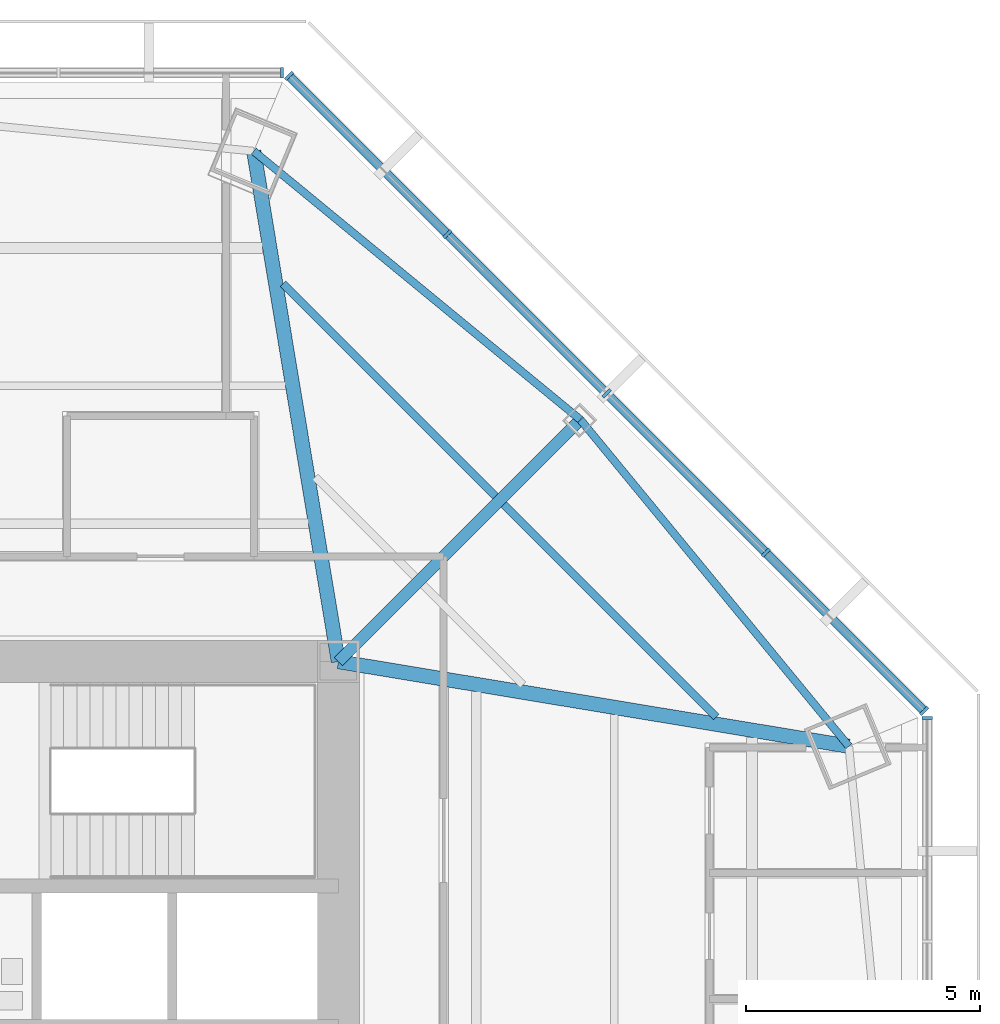
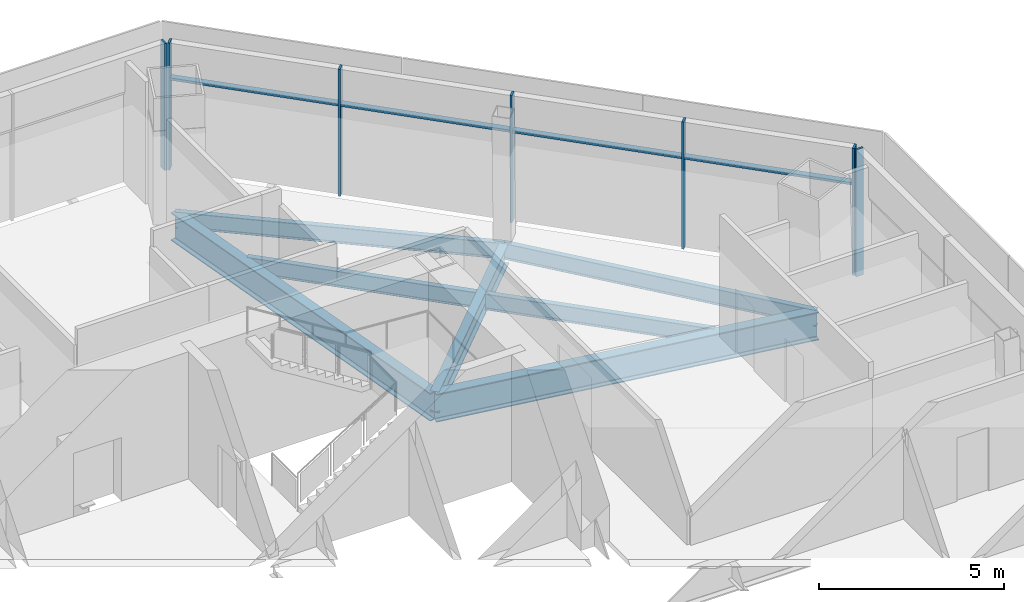
# One storey, part 6 of 15: 11 members, 7 beams, 3 elements without a shape of their own.
"""IFC4 building model written with IfcOpenShell, lengths in metres."""

from ifc_helpers import new_model, si_unit, direction, frame, origin, origin_2d, place, context, subcontext, project, spatial, rectangle, i_section, extrude, source, transform, mapped, material, material_profile, profile_set, type_object, type_shapes, element, aggregate, save


model = new_model("IFC4")

# Units and contexts
model_context = context("Model", 3, precision=1e-05, world=origin(), true_north=direction((0.0, 1.0)))
body_context = subcontext(model_context, "Body", "Model", "MODEL_VIEW")
ifc_project = project(units=[si_unit("LENGTHUNIT", "METRE"), si_unit("AREAUNIT", "SQUARE_METRE"), si_unit("VOLUMEUNIT", "CUBIC_METRE"), si_unit("PLANEANGLEUNIT", "RADIAN"), si_unit("MASSUNIT", "GRAM", prefix="KILO")], contexts=[model_context])

# Site, building, storey
site_placement = place(None, origin())
site = spatial("IfcSite", under=ifc_project, at=site_placement, CompositionType="ELEMENT")
building_placement = place(site_placement, origin())
building = spatial("IfcBuilding", under=site, at=building_placement, Name="Mashrafa Tower", CompositionType="ELEMENT")
storey_placement = place(building_placement, frame((0.0, 0.0, 163.800048828125)))
storey = spatial("IfcBuildingStorey", under=building, at=storey_placement, Name="L37", CompositionType="ELEMENT", Elevation=163.800048828125)

# Beams
ifc_material_1 = material(Name="Steel ASTM A992", Category="steel")
ifc_material_profile_1 = material_profile(ifc_material_1, i_section(OverallWidth=0.1650390625, OverallDepth=0.52587890625, WebThickness=0.0087890625, FlangeThickness=0.011474609375, FilletRadius=0.0126953125, at=origin_2d()), Name="W21X44")
ifc_profile_set_1 = profile_set([ifc_material_profile_1], Name="Steel ASTM A992")
beam_type_1 = type_object("IfcBeamType", Name="Beam W21X44", PredefinedType="BEAM", material=ifc_profile_set_1)
for number, where, z_axis, x_axis, name in (
    (1, (9.616455078125, 18.87744140625, -0.427978515625), (0.707106781187, -0.707106781187, 0.0), (0.707106781187, 0.707106781187, 0.0), "Floor beam L37 025"),
    (2, (14.337646484375, 14.15625, -0.427978515625), (0.707106781187, -0.707106781187, 0.0), (0.707106781187, 0.707106781187, 0.0), "Floor beam L37 034"),
):
    element("IfcBeam", number, at=place(storey_placement, frame(where, z_axis=z_axis, x_axis=x_axis)), inside=storey, type_object=beam_type_1, Name=name, PredefinedType="BEAM", context=body_context, shape_type="SweptSolid", body=[
        extrude(i_section(OverallWidth=0.1650390625, OverallDepth=0.52587890625, WebThickness=0.0087890625, FlangeThickness=0.011474609375, FilletRadius=0.0126953125, at=origin_2d()), origin(), (0.0, 0.0, 1.0), 6.420166015625),
    ])
for number, where, z_axis, x_axis, name in (
    (3, (15.970458984375, 15.970458984375, -0.427978515625), (-0.772492355592, 0.63502406297, 0.0), (-0.63502406297, -0.772492355592, 0.0), "Spandrel beam L37 069"),
    (4, (21.70751953125, 8.991455078125, -0.427978515625), (-0.63502406297, 0.772492355592, 0.0), (-0.772492355592, -0.63502406297, 0.0), "Spandrel beam L37 071"),
):
    element("IfcBeam", number, at=place(storey_placement, frame(where, z_axis=z_axis, x_axis=x_axis)), inside=storey, type_object=beam_type_1, Name=name, PredefinedType="BEAM", context=body_context, shape_type="SweptSolid", body=[
        extrude(i_section(OverallWidth=0.1650390625, OverallDepth=0.52587890625, WebThickness=0.0087890625, FlangeThickness=0.011474609375, FilletRadius=0.0126953125, at=origin_2d()), origin(), (0.0, 0.0, 1.0), 9.034423828125),
    ])
ifc_material_2 = material(Name="Steel ASTM A992", Category="steel")
ifc_material_profile_2 = material_profile(ifc_material_2, i_section(OverallWidth=0.256591796875, OverallDepth=0.693359375, WebThickness=0.014404296875, FlangeThickness=0.023681640625, FilletRadius=0.01513671875, at=origin_2d()), Name="W27X114")
ifc_profile_set_2 = profile_set([ifc_material_profile_2], Name="Steel ASTM A992")
beam_type_2 = type_object("IfcBeamType", Name="Beam W27X114", PredefinedType="BEAM", material=ifc_profile_set_2)
beam_placement = place(storey_placement, frame((10.800048828125, 10.800048828125, -0.51171875), z_axis=(0.707106781187, 0.707106781187, 0.0), x_axis=(-0.707106781187, 0.707106781187, 0.0)))
element("IfcBeam", 5, at=beam_placement, inside=storey, type_object=beam_type_2, Name="Radial girder L37 055", PredefinedType="BEAM", context=body_context, shape_type="SweptSolid", body=[
    extrude(i_section(OverallWidth=0.256591796875, OverallDepth=0.693359375, WebThickness=0.014404296875, FlangeThickness=0.023681640625, FilletRadius=0.01513671875, at=origin_2d()), origin(), (0.0, 0.0, 1.0), 7.31201171875),
])
ifc_material_3 = material(Name="Steel ASTM A992", Category="steel")
ifc_material_profile_3 = material_profile(ifc_material_3, i_section(OverallWidth=0.307373046875, OverallDepth=0.927001953125, WebThickness=0.01953125, FlangeThickness=0.031982421875, FilletRadius=0.01904296875, at=origin_2d()), Name="W36X194")
ifc_profile_set_3 = profile_set([ifc_material_profile_3], Name="Steel ASTM A992")
beam_type_3 = type_object("IfcBeamType", Name="Beam W36X194", PredefinedType="BEAM", material=ifc_profile_set_3)
for number, where, z_axis, x_axis, name in (
    (6, (10.800048828125, 10.800048828125, -0.628662109375), (-0.163578935108, 0.986530248897, 0.0), (-0.986530248897, -0.163578935108, 0.0), "Radial girder L37 054"),
    (7, (10.800048828125, 10.800048828125, -0.628662109375), (0.986530248897, -0.163578935108, 0.0), (0.163578935108, 0.986530248897, 0.0), "Radial girder L37 056"),
):
    element("IfcBeam", number, at=place(storey_placement, frame(where, z_axis=z_axis, x_axis=x_axis)), inside=storey, type_object=beam_type_3, Name=name, PredefinedType="BEAM", context=body_context, shape_type="SweptSolid", body=[
        extrude(i_section(OverallWidth=0.307373046875, OverallDepth=0.927001953125, WebThickness=0.01953125, FlangeThickness=0.031982421875, FilletRadius=0.01904296875, at=origin_2d()), origin(), (0.0, 0.0, 1.0), 11.056396484375),
    ])

# Curtain wall, member
ifc_material_4 = material(Name="Unitised aluminium curtain wall", Category="aluminium")
curtain_wall_type = type_object("IfcCurtainWallType", Name="Office curtain wall, zone 2 CW-B 225 deep", PredefinedType="NOTDEFINED", material=ifc_material_4)
curtain_wall_1_placement = place(storey_placement, origin())
curtain_wall_1 = element("IfcCurtainWall", 8, at=curtain_wall_1_placement, inside=storey, type_object=curtain_wall_type, Name="Office curtain wall, zone 2 L37 east", PredefinedType="NOTDEFINED")
ifc_material_5 = material(Name="Extruded aluminium mullion", Category="aluminium")
ifc_material_profile_4 = material_profile(ifc_material_5, rectangle(XDim=0.22509765625, YDim=0.06494140625, at=origin_2d()), Name="Mullion 65x225")
ifc_profile_set_4 = profile_set([ifc_material_profile_4], Name="Extruded aluminium mullion")
member_type_1 = type_object("IfcMemberType", Name="Mullion CW-B 65 x 225", PredefinedType="MULLION", material=ifc_profile_set_4)
shared_shape_1 = source(origin(), body_context, "Body", "SweptSolid", [
    extrude(rectangle(XDim=0.22509765625, YDim=0.06494140625, at=origin_2d()), origin(), (0.0, 0.0, 1.0), 4.199951171875),
])
type_shapes(member_type_1, [shared_shape_1])
member_1_placement = place(storey_placement, frame((23.381103515625, 9.595703125, 0.0), z_axis=(0.0, 0.0, 1.0), x_axis=(-1.0, 0.0, 0.0)))
member_1 = element("IfcMember", 9, at=member_1_placement, type_object=member_type_1, Name="CW-B mullion 5", PredefinedType="MULLION", context=body_context, shape_type="MappedRepresentation", body=[
    mapped(shared_shape_1, transform((0.0, 0.0, 0.0))),
])
aggregate(curtain_wall_1, [member_1])

# Curtain wall, members
curtain_wall_2_placement = place(storey_placement, origin())
curtain_wall_2 = element("IfcCurtainWall", 10, at=curtain_wall_2_placement, inside=storey, type_object=curtain_wall_type, Name="Office curtain wall, zone 2 L37 north-east", PredefinedType="NOTDEFINED")
member_2_placement = place(storey_placement, frame((23.318115234375, 9.747802734375, 0.0), z_axis=(0.0, 0.0, 1.0), x_axis=(-0.707106781187, -0.707106781187, 0.0)))
member_2 = element("IfcMember", 11, at=member_2_placement, type_object=member_type_1, Name="CW-B mullion 1", PredefinedType="MULLION", context=body_context, shape_type="MappedRepresentation", body=[
    mapped(shared_shape_1, transform((0.0, 0.0, 0.0))),
])
member_3_placement = place(storey_placement, frame((19.93701171875, 13.12890625, 0.0), z_axis=(0.0, 0.0, 1.0), x_axis=(-0.707106781187, -0.707106781187, 0.0)))
member_3 = element("IfcMember", 12, at=member_3_placement, type_object=member_type_1, Name="CW-B mullion 2", PredefinedType="MULLION", context=body_context, shape_type="MappedRepresentation", body=[
    mapped(shared_shape_1, transform((0.0, 0.0, 0.0))),
])
member_4_placement = place(storey_placement, frame((16.532958984375, 16.532958984375, 0.0), z_axis=(0.0, 0.0, 1.0), x_axis=(-0.707106781187, -0.707106781187, 0.0)))
member_4 = element("IfcMember", 13, at=member_4_placement, type_object=member_type_1, Name="CW-B mullion 3", PredefinedType="MULLION", context=body_context, shape_type="MappedRepresentation", body=[
    mapped(shared_shape_1, transform((0.0, 0.0, 0.0))),
])
member_5_placement = place(storey_placement, frame((13.12890625, 19.93701171875, 0.0), z_axis=(0.0, 0.0, 1.0), x_axis=(-0.707106781187, -0.707106781187, 0.0)))
member_5 = element("IfcMember", 14, at=member_5_placement, type_object=member_type_1, Name="CW-B mullion 4", PredefinedType="MULLION", context=body_context, shape_type="MappedRepresentation", body=[
    mapped(shared_shape_1, transform((0.0, 0.0, 0.0))),
])
member_6_placement = place(storey_placement, frame((9.747802734375, 23.318115234375, 0.0), z_axis=(0.0, 0.0, 1.0), x_axis=(-0.707106781187, -0.707106781187, 0.0)))
member_6 = element("IfcMember", 15, at=member_6_placement, type_object=member_type_1, Name="CW-B mullion 5", PredefinedType="MULLION", context=body_context, shape_type="MappedRepresentation", body=[
    mapped(shared_shape_1, transform((0.0, 0.0, 0.0))),
])

# Curtain wall, member
curtain_wall_3_placement = place(storey_placement, origin())
curtain_wall_3 = element("IfcCurtainWall", 16, at=curtain_wall_3_placement, inside=storey, type_object=curtain_wall_type, Name="Office curtain wall, zone 2 L37 north", PredefinedType="NOTDEFINED")
member_7_placement = place(storey_placement, frame((9.595703125, 23.381103515625, 0.0), z_axis=(0.0, 0.0, 1.0), x_axis=(0.0, -1.0, 0.0)))
member_7 = element("IfcMember", 17, at=member_7_placement, type_object=member_type_1, Name="CW-B mullion 1", PredefinedType="MULLION", context=body_context, shape_type="MappedRepresentation", body=[
    mapped(shared_shape_1, transform((0.0, 0.0, 0.0))),
])
aggregate(curtain_wall_3, [member_7])

# Member
ifc_material_6 = material(Name="Extruded aluminium transom", Category="aluminium")
ifc_material_profile_5 = material_profile(ifc_material_6, rectangle(XDim=0.179931640625, YDim=0.080078125, at=origin_2d()), Name="Transom 80x180")
ifc_profile_set_5 = profile_set([ifc_material_profile_5], Name="Extruded aluminium transom")
member_type_2 = type_object("IfcMemberType", Name="Transom CW-B 80 x 180", PredefinedType="MULLION", material=ifc_profile_set_5)
shared_shape_2 = source(origin(), body_context, "Body", "SweptSolid", [
    extrude(rectangle(XDim=0.179931640625, YDim=0.080078125, at=origin_2d()), origin(), (0.0, 0.0, 1.0), 4.716796875),
])
member_8_placement = place(storey_placement, frame((23.295166015625, 9.770751953125, 3.0), z_axis=(-0.707106781187, 0.707106781187, 0.0), x_axis=(-0.707106781187, -0.707106781187, 0.0)))
member_8 = element("IfcMember", 18, at=member_8_placement, type_object=member_type_2, Name="CW-B transom 1", PredefinedType="MULLION", context=body_context, shape_type="MappedRepresentation", body=[
    mapped(shared_shape_2, transform((0.0, 0.0, 0.0))),
])

member_9_placement = place(storey_placement, frame((13.10595703125, 19.9599609375, 3.0), z_axis=(-0.707106781187, 0.707106781187, 0.0), x_axis=(-0.707106781187, -0.707106781187, 0.0)))
member_9 = element("IfcMember", 19, at=member_9_placement, type_object=member_type_2, Name="CW-B transom 4", PredefinedType="MULLION", context=body_context, shape_type="MappedRepresentation", body=[
    mapped(shared_shape_2, transform((0.0, 0.0, 0.0))),
])

shared_shape_3 = source(origin(), body_context, "Body", "SweptSolid", [
    extrude(rectangle(XDim=0.179931640625, YDim=0.080078125, at=origin_2d()), origin(), (0.0, 0.0, 1.0), 4.749267578125),
])
type_shapes(member_type_2, [shared_shape_2, shared_shape_3])
member_10_placement = place(storey_placement, frame((19.9140625, 13.15185546875, 3.0), z_axis=(-0.707106781187, 0.707106781187, 0.0), x_axis=(-0.707106781187, -0.707106781187, 0.0)))
member_10 = element("IfcMember", 20, at=member_10_placement, type_object=member_type_2, Name="CW-B transom 2", PredefinedType="MULLION", context=body_context, shape_type="MappedRepresentation", body=[
    mapped(shared_shape_3, transform((0.0, 0.0, 0.0))),
])

member_11_placement = place(storey_placement, frame((16.510009765625, 16.555908203125, 3.0), z_axis=(-0.707106781187, 0.707106781187, 0.0), x_axis=(-0.707106781187, -0.707106781187, 0.0)))
member_11 = element("IfcMember", 21, at=member_11_placement, type_object=member_type_2, Name="CW-B transom 3", PredefinedType="MULLION", context=body_context, shape_type="MappedRepresentation", body=[
    mapped(shared_shape_3, transform((0.0, 0.0, 0.0))),
])

aggregate(curtain_wall_2, [member_2, member_3, member_4, member_5, member_6, member_8, member_10, member_11, member_9])

save(model, "model.ifc")
